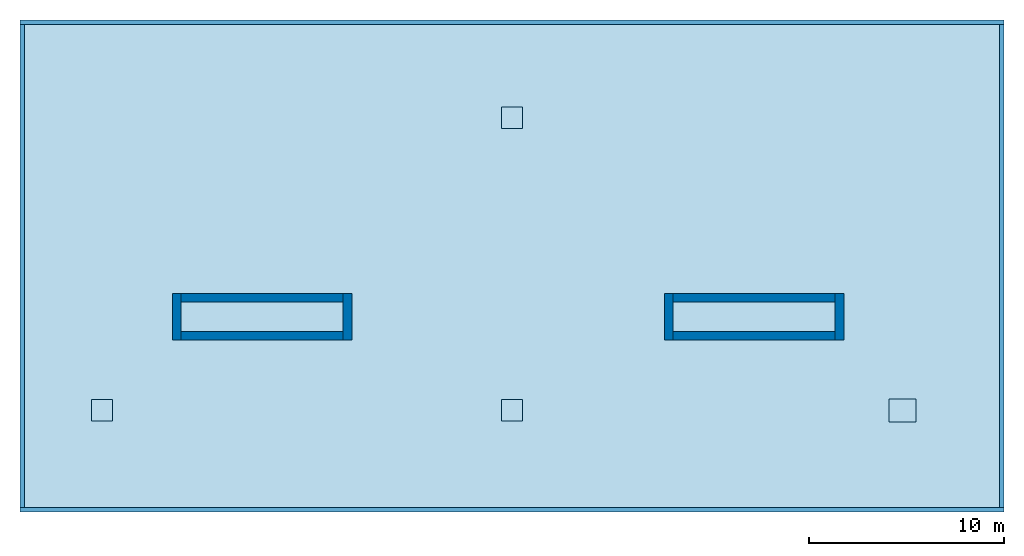
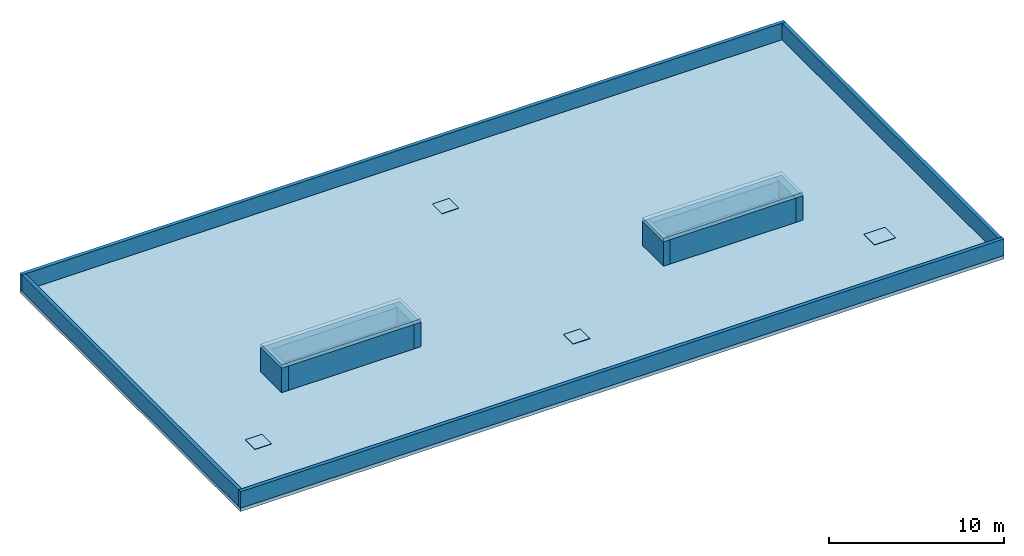
# One storey: 12 walls, 4 plates, 3 slabs.
"""IFC4 building model written with IfcOpenShell, lengths in metres."""

from ifc_helpers import new_model, si_unit, direction, frame, frame_2d, origin, origin_2d, place, context, subcontext, project, spatial, polyline, rectangle, outline, extrude, material, layer, layer_set, type_object, element, save


model = new_model("IFC4")

# Units and contexts
model_context = context("Model", 3, precision=1e-05, world=origin(), true_north=direction((0.0, 1.0)))
body_context = subcontext(model_context, "Body", "Model", "MODEL_VIEW")
ifc_project = project(units=[si_unit("LENGTHUNIT", "METRE"), si_unit("AREAUNIT", "SQUARE_METRE"), si_unit("VOLUMEUNIT", "CUBIC_METRE"), si_unit("PLANEANGLEUNIT", "RADIAN"), si_unit("MASSUNIT", "GRAM", prefix="KILO")], contexts=[model_context])

# Site, building, storey
site_placement = place(None, origin())
site = spatial("IfcSite", under=ifc_project, at=site_placement, CompositionType="ELEMENT")
building_placement = place(site_placement, origin())
building = spatial("IfcBuilding", under=site, at=building_placement, Name="Zayran Congress Hotel", CompositionType="ELEMENT")
storey_placement = place(building_placement, frame((0.0, 0.0, 48.60009765625)))
storey = spatial("IfcBuildingStorey", under=building, at=storey_placement, Name="RF", CompositionType="ELEMENT", Elevation=48.60009765625)

# Plates
ifc_material_1 = material(Name="Steel S355", Category="steel")
ifc_layer_1 = layer(ifc_material_1, 1.10009765625)
ifc_layer_set_1 = layer_set([ifc_layer_1], Name="Steel S355")
plate_type_1 = type_object("IfcPlateType", Name="TP-HTP-01", PredefinedType="USERDEFINED", material=ifc_layer_set_1)
for number, where, z_axis, x_axis, name in (
    (1, (21.0, 14.0, 0.0), (0.0, 0.0, 1.0), (1.0, 0.0, 0.0), "Bolted Steel Roof Maintenance Hatch Cover 01"),
    (2, (42.0, 14.0, 0.0), (0.0, 0.0, 1.0), (1.0, 0.0, 0.0), "Bolted Steel Roof Maintenance Hatch Cover 02"),
    (3, (42.0, 29.0, 0.0), (0.0, 0.0, 1.0), (1.0, 0.0, 0.0), "Bolted Steel Roof Maintenance Hatch Cover 04"),
):
    element("IfcPlate", number, at=place(storey_placement, frame(where, z_axis=z_axis, x_axis=x_axis)), inside=storey, type_object=plate_type_1, Name=name, ObjectType="GUSSET_PLATE", PredefinedType="USERDEFINED", context=body_context, shape_type="SweptSolid", body=[
        extrude(rectangle(XDim=1.10009765625, YDim=1.10009765625, at=origin_2d()), origin(), (0.0, 0.0, 1.0), 0.02490234375),
    ])
ifc_layer_2 = layer(ifc_material_1, 1.199951171875)
ifc_layer_set_2 = layer_set([ifc_layer_2], Name="Steel S355")
plate_type_2 = type_object("IfcPlateType", Name="TP-HTP-02", PredefinedType="USERDEFINED", material=ifc_layer_set_2)
plate_placement = place(storey_placement, frame((62.0, 14.0, 0.0), z_axis=(0.0, 0.0, 1.0), x_axis=(1.0, 0.0, 0.0)))
element("IfcPlate", 4, at=plate_placement, inside=storey, type_object=plate_type_2, Name="Bolted Steel Roof Maintenance Hatch Cover 03", ObjectType="GUSSET_PLATE", PredefinedType="USERDEFINED", context=body_context, shape_type="SweptSolid", body=[
    extrude(rectangle(XDim=1.39990234375, YDim=1.199951171875, at=origin_2d()), origin(), (0.0, 0.0, 1.0), 0.02490234375),
])

# Slabs
ifc_material_2 = material(Name="Concrete C32/40", Category="concrete")
ifc_layer_3 = layer(ifc_material_2, 0.239990234375)
ifc_layer_set_3 = layer_set([ifc_layer_3], Name="Concrete C32/40")
slab_type = type_object("IfcSlabType", Name="SL-RF-240", PredefinedType="ROOF", material=ifc_layer_set_3)
slab_1_placement = place(storey_placement, frame((0.0, 0.0, -0.239990234375)))
element("IfcSlab", 5, at=slab_1_placement, inside=storey, type_object=slab_type, Name="SLB-V5-ROOF", PredefinedType="ROOF", context=body_context, shape_type="SweptSolid", body=[
    extrude(outline(polyline([(16.800048828125, 8.800048828125), (67.199951171875, 8.800048828125), (67.199951171875, 34.0), (16.800048828125, 34.0), (16.800048828125, 8.800048828125)]), holes=[polyline([(25.199951171875, 18.0), (27.39990234375, 18.0), (27.39990234375, 19.60009765625), (25.199951171875, 19.60009765625), (25.199951171875, 18.0)]), polyline([(27.60009765625, 18.0), (29.699951171875, 18.0), (29.699951171875, 19.60009765625), (27.60009765625, 19.60009765625), (27.60009765625, 18.0)]), polyline([(30.0, 18.0), (32.10009765625, 18.0), (32.10009765625, 19.60009765625), (30.0, 19.60009765625), (30.0, 18.0)]), polyline([(50.39990234375, 18.0), (52.60009765625, 18.0), (52.60009765625, 19.60009765625), (50.39990234375, 19.60009765625), (50.39990234375, 18.0)]), polyline([(52.800048828125, 18.0), (54.89990234375, 18.0), (54.89990234375, 19.60009765625), (52.800048828125, 19.60009765625), (52.800048828125, 18.0)]), polyline([(55.199951171875, 18.0), (57.5, 18.0), (57.5, 19.800048828125), (55.199951171875, 19.800048828125), (55.199951171875, 18.0)]), polyline([(20.550048828125, 13.550048828125), (21.449951171875, 13.550048828125), (21.449951171875, 14.449951171875), (20.550048828125, 14.449951171875), (20.550048828125, 13.550048828125)]), polyline([(41.550048828125, 13.550048828125), (42.449951171875, 13.550048828125), (42.449951171875, 14.449951171875), (41.550048828125, 14.449951171875), (41.550048828125, 13.550048828125)]), polyline([(61.39990234375, 13.5), (62.60009765625, 13.5), (62.60009765625, 14.5), (61.39990234375, 14.5), (61.39990234375, 13.5)]), polyline([(41.550048828125, 28.550048828125), (42.449951171875, 28.550048828125), (42.449951171875, 29.449951171875), (41.550048828125, 29.449951171875), (41.550048828125, 28.550048828125)])]), origin(), (0.0, 0.0, 1.0), 0.239990234375),
])
slab_2_placement = place(storey_placement, frame((0.0, 0.0, 1.699951171875)))
element("IfcSlab", 6, at=slab_2_placement, inside=storey, type_object=slab_type, Name="SLB-OVR-C-V5W", PredefinedType="ROOF", context=body_context, shape_type="SweptSolid", body=[
    extrude(outline(polyline([(24.60009765625, 17.60009765625), (33.800048828125, 17.60009765625), (33.800048828125, 20.0), (24.60009765625, 20.0), (24.60009765625, 17.60009765625)])), origin(), (0.0, 0.0, 1.0), 0.239990234375),
])
slab_3_placement = place(storey_placement, frame((0.0, 0.0, 1.699951171875)))
element("IfcSlab", 7, at=slab_3_placement, inside=storey, type_object=slab_type, Name="SLB-OVR-C-V5E", PredefinedType="ROOF", context=body_context, shape_type="SweptSolid", body=[
    extrude(outline(polyline([(49.800048828125, 17.60009765625), (59.0, 17.60009765625), (59.0, 20.0), (49.800048828125, 20.0), (49.800048828125, 17.60009765625)])), origin(), (0.0, 0.0, 1.0), 0.239990234375),
])

# Walls
ifc_layer_4 = layer(ifc_material_2, 0.449951171875)
ifc_layer_set_4 = layer_set([ifc_layer_4], Name="Concrete C32/40")
wall_type_1 = type_object("IfcWallType", Name="WL-RT-450", PredefinedType="USERDEFINED", material=ifc_layer_set_4)
for number, where, z_axis, x_axis, name in (
    (8, (24.824951171875, 17.60009765625, 0.0), (0.0, 0.0, 1.0), (0.0, 1.0, 0.0), "CWALL-OVR-C-V5W-W"),
    (9, (33.574951171875, 20.0, 0.0), (0.0, 0.0, 1.0), (0.0, -1.0, 0.0), "CWALL-OVR-C-V5W-E"),
):
    element("IfcWall", number, at=place(storey_placement, frame(where, z_axis=z_axis, x_axis=x_axis)), inside=storey, type_object=wall_type_1, Name=name, ObjectType="RETAININGWALL", PredefinedType="USERDEFINED", context=body_context, shape_type="SweptSolid", body=[
        extrude(rectangle(XDim=2.39990234375, YDim=0.449951171875, at=frame_2d((1.199951171875, 0.0))), origin(), (0.0, 0.0, 1.0), 1.699951171875),
    ])
for number, where, z_axis, x_axis, name in (
    (10, (33.35009765625, 17.824951171875, 0.0), (0.0, 0.0, 1.0), (-1.0, 0.0, 0.0), "CWALL-OVR-C-V5W-S"),
    (11, (25.050048828125, 19.77490234375, 0.0), (0.0, 0.0, 1.0), (1.0, 0.0, 0.0), "CWALL-OVR-C-V5W-N"),
):
    element("IfcWall", number, at=place(storey_placement, frame(where, z_axis=z_axis, x_axis=x_axis)), inside=storey, type_object=wall_type_1, Name=name, ObjectType="RETAININGWALL", PredefinedType="USERDEFINED", context=body_context, shape_type="SweptSolid", body=[
        extrude(rectangle(XDim=8.300048828125, YDim=0.449951171875, at=frame_2d((4.14990234375, 0.0))), origin(), (0.0, 0.0, 1.0), 1.699951171875),
    ])
for number, where, z_axis, x_axis, name in (
    (12, (50.02490234375, 17.60009765625, 0.0), (0.0, 0.0, 1.0), (0.0, 1.0, 0.0), "CWALL-OVR-C-V5E-W"),
    (13, (58.77490234375, 20.0, 0.0), (0.0, 0.0, 1.0), (0.0, -1.0, 0.0), "CWALL-OVR-C-V5E-E"),
):
    element("IfcWall", number, at=place(storey_placement, frame(where, z_axis=z_axis, x_axis=x_axis)), inside=storey, type_object=wall_type_1, Name=name, ObjectType="RETAININGWALL", PredefinedType="USERDEFINED", context=body_context, shape_type="SweptSolid", body=[
        extrude(rectangle(XDim=2.39990234375, YDim=0.449951171875, at=frame_2d((1.199951171875, 0.0))), origin(), (0.0, 0.0, 1.0), 1.699951171875),
    ])
for number, where, z_axis, x_axis, name in (
    (14, (58.550048828125, 17.824951171875, 0.0), (0.0, 0.0, 1.0), (-1.0, 0.0, 0.0), "CWALL-OVR-C-V5E-S"),
    (15, (50.25, 19.77490234375, 0.0), (0.0, 0.0, 1.0), (1.0, 0.0, 0.0), "CWALL-OVR-C-V5E-N"),
):
    element("IfcWall", number, at=place(storey_placement, frame(where, z_axis=z_axis, x_axis=x_axis)), inside=storey, type_object=wall_type_1, Name=name, ObjectType="RETAININGWALL", PredefinedType="USERDEFINED", context=body_context, shape_type="SweptSolid", body=[
        extrude(rectangle(XDim=8.300048828125, YDim=0.449951171875, at=frame_2d((4.14990234375, 0.0))), origin(), (0.0, 0.0, 1.0), 1.699951171875),
    ])
ifc_material_3 = material(Name="Concrete C32/40 with limestone coping", Category="masonry")
ifc_layer_5 = layer(ifc_material_3, 0.239990234375)
ifc_layer_set_5 = layer_set([ifc_layer_5], Name="Concrete C32/40 with limestone coping")
wall_type_2 = type_object("IfcWallType", Name="WL-PR-240", PredefinedType="PARAPET", material=ifc_layer_set_5)
for number, where, z_axis, x_axis, name in (
    (16, (16.800048828125, 8.919921875, 0.0), (0.0, 0.0, 1.0), (1.0, 0.0, 0.0), "PAR-V5-RF-S"),
    (17, (67.199951171875, 33.8798828125, 0.0), (0.0, 0.0, 1.0), (-1.0, 0.0, 0.0), "PAR-V5-RF-N"),
):
    element("IfcWall", number, at=place(storey_placement, frame(where, z_axis=z_axis, x_axis=x_axis)), inside=storey, type_object=wall_type_2, Name=name, PredefinedType="PARAPET", context=body_context, shape_type="SweptSolid", body=[
        extrude(rectangle(XDim=50.39990234375, YDim=0.239990234375, at=frame_2d((25.199951171875, 0.0))), origin(), (0.0, 0.0, 1.0), 1.14990234375),
    ])
for number, where, z_axis, x_axis, name in (
    (18, (16.919921875, 33.760009765625, 0.0), (0.0, 0.0, 1.0), (0.0, -1.0, 0.0), "PAR-V5-RF-W"),
    (19, (67.080078125, 9.0400390625, 0.0), (0.0, 0.0, 1.0), (0.0, 1.0, 0.0), "PAR-V5-RF-E"),
):
    element("IfcWall", number, at=place(storey_placement, frame(where, z_axis=z_axis, x_axis=x_axis)), inside=storey, type_object=wall_type_2, Name=name, PredefinedType="PARAPET", context=body_context, shape_type="SweptSolid", body=[
        extrude(rectangle(XDim=24.719970703125, YDim=0.239990234375, at=frame_2d((12.35986328125, 0.0))), origin(), (0.0, 0.0, 1.0), 1.14990234375),
    ])

save(model, "model.ifc")
